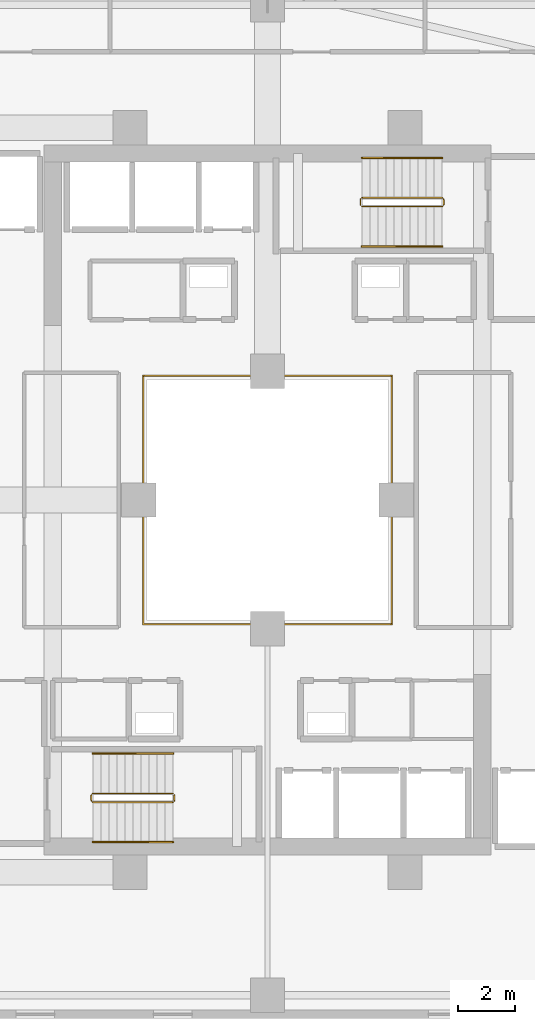
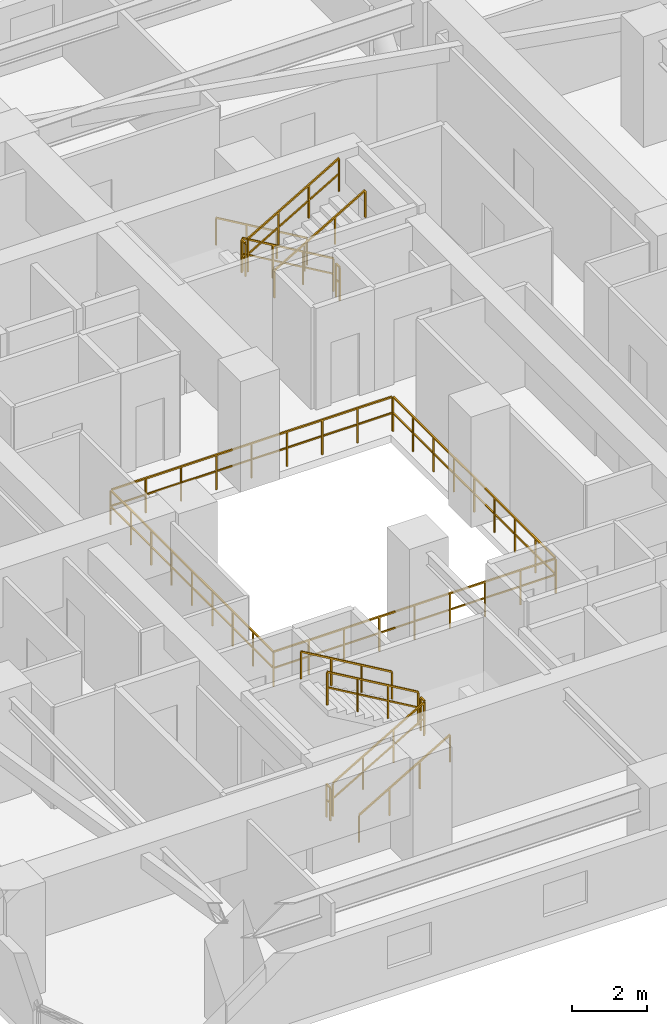
# One storey, part 33 of 36: 13 railings.
"""IFC4 building model written with IfcOpenShell, lengths in metres."""

import ifcopenshell
import ifcopenshell.guid

model = None  # the IFC model being written
_history = None  # IfcOwnerHistory: only IFC2X3 demands one
_inside = {}  # id of a spatial element -> (the spatial element, [elements in it])
_under = {}  # id of a project, library or spatial element -> (it, [spatial elements below it])
_declared = {}  # id of a project -> (the project, [libraries it declares])
_typed = {}  # id of a type object -> (the type object, [elements of that type])
_made_of = {}  # id of a material, layer set ... -> (it, [elements and type objects made of it])


def new_model(schema):
    """Start an empty IFC model of exactly this schema.

    Asked for "IFC4X3", IfcOpenShell would pick the latest addendum, in which some entities
    have other attributes; the version numbers below select the first issue.
    IFC2X3 requires an IfcOwnerHistory on every rooted entity: one is made here for all.
    """
    global model, _history
    if schema == "IFC4X3":
        model = ifcopenshell.file(schema_version=(4, 3, 0, 0))
    else:
        model = ifcopenshell.file(schema=schema)
    _inside.clear()
    _under.clear()
    _declared.clear()
    _typed.clear()
    _made_of.clear()
    _history = None
    if model.schema == "IFC2X3":
        org = make("IfcOrganization", Name="unknown")
        user = make(
            "IfcPersonAndOrganization",
            ThePerson=make("IfcPerson", FamilyName="unknown"),
            TheOrganization=org,
        )
        app = make(
            "IfcApplication",
            ApplicationDeveloper=org,
            Version="unknown",
            ApplicationFullName="unknown",
            ApplicationIdentifier="unknown",
        )
        _history = make(
            "IfcOwnerHistory",
            OwningUser=user,
            OwningApplication=app,
            ChangeAction="ADDED",
            CreationDate=0,
        )
    return model


def make(cls, **values):
    """One entity of the class cls with the attributes given. An attribute that is None is left unset."""
    return model.create_entity(
        cls, **{name: value for name, value in values.items() if value is not None}
    )


def rooted(cls, **values):
    """An entity with a GlobalId (a new one), such as an element, a storey or a relation."""
    return make(cls, GlobalId=ifcopenshell.guid.new(), OwnerHistory=_history, **values)


def si_unit(unit_type, name, prefix=None):
    """IfcSIUnit, for example si_unit("LENGTHUNIT", "METRE", prefix="MILLI")."""
    return make("IfcSIUnit", UnitType=unit_type, Prefix=prefix, Name=name)


def assignment(units):
    """IfcUnitAssignment: the units of a project."""
    return None if units is None else make("IfcUnitAssignment", Units=units)


def point(xyz):
    """IfcCartesianPoint."""
    return None if xyz is None else make("IfcCartesianPoint", Coordinates=xyz)


def direction(xyz):
    """IfcDirection."""
    return None if xyz is None else make("IfcDirection", DirectionRatios=xyz)


def frame(location, z_axis=None, x_axis=None):
    """IfcAxis2Placement3D, a coordinate frame: its origin and axes. An axis left out is left unset."""
    return make(
        "IfcAxis2Placement3D",
        Location=point(location),
        Axis=direction(z_axis),
        RefDirection=direction(x_axis),
    )


def frame_2d(location, x_axis=None):
    """IfcAxis2Placement2D, a coordinate frame in the plane: its origin and x axis."""
    return make(
        "IfcAxis2Placement2D", Location=point(location), RefDirection=direction(x_axis)
    )


def origin():
    """The frame at (0, 0, 0) with its axes left unset."""
    return frame((0.0, 0.0, 0.0))


def origin_2d():
    """The frame at (0, 0) in the plane with its x axis left unset."""
    return frame_2d((0.0, 0.0))


def place(relative_to, where):
    """IfcLocalPlacement: puts the frame where relative to a parent placement (None: the world)."""
    return make(
        "IfcLocalPlacement", PlacementRelTo=relative_to, RelativePlacement=where
    )


def context(
    kind, dimensions, precision=None, world=None, true_north=None, identifier=None
):
    """IfcGeometricRepresentationContext, for example the 3D "Model" context."""
    return make(
        "IfcGeometricRepresentationContext",
        ContextIdentifier=identifier,
        ContextType=kind,
        CoordinateSpaceDimension=dimensions,
        Precision=precision,
        WorldCoordinateSystem=world,
        TrueNorth=true_north,
    )


def subcontext(parent, identifier, kind, view, scale=None):
    """IfcGeometricRepresentationSubContext, for example "Body" below "Model"."""
    return make(
        "IfcGeometricRepresentationSubContext",
        ContextIdentifier=identifier,
        ContextType=kind,
        ParentContext=parent,
        TargetScale=scale,
        TargetView=view,
    )


def project(units=None, contexts=None):
    """IfcProject with its units and contexts."""
    return rooted(
        "IfcProject",
        Name="project",
        RepresentationContexts=contexts,
        UnitsInContext=assignment(units),
    )


def spatial(cls, under=None, at=None, **own):
    """A site, building, storey or space (cls), placed at a placement, below another one or the project."""
    s = rooted(cls, ObjectPlacement=at, **own)
    if under is not None:
        _under.setdefault(under.id(), (under, []))[1].append(s)
    return s


def profile(cls, at=None, kind="AREA", **sizes):
    """A parametric profile (cls). Its sizes go by their IFC names, for example OverallWidth=200.0."""
    return make(cls, ProfileType=kind, Position=at, **sizes)


def rectangle(**sizes):
    """IfcRectangleProfileDef."""
    return profile("IfcRectangleProfileDef", **sizes)


def extrude(swept, where, along, depth):
    """IfcExtrudedAreaSolid: the profile swept, set in the frame where, extruded along a direction by depth."""
    return make(
        "IfcExtrudedAreaSolid",
        SweptArea=swept,
        Position=where,
        ExtrudedDirection=direction(along),
        Depth=depth,
    )


def shape(context_of_items, identifier, shape_type, items):
    """IfcShapeRepresentation: the items that make up one representation, for example the "Body"."""
    return make(
        "IfcShapeRepresentation",
        ContextOfItems=context_of_items,
        RepresentationIdentifier=identifier,
        RepresentationType=shape_type,
        Items=items,
    )


def material(Name=None, Category=None):
    """IfcMaterial."""
    return make("IfcMaterial", Name=Name, Category=Category)


def made_of(thing, what):
    """Note that an element or type object is made of a material, layer set ...; save() writes the relation."""
    if what is not None:
        _made_of.setdefault(what.id(), (what, []))[1].append(thing)
    return thing


def type_object(cls, material=None, **own):
    """A type object (cls), such as IfcWallType, which elements share."""
    return made_of(rooted(cls, **own), material)


def element(
    cls,
    number,
    at=None,
    inside=None,
    cuts=None,
    type_object=None,
    material=None,
    context=None,
    identifier="Body",
    shape_type=None,
    held_by="IfcProductDefinitionShape",
    body=None,
    shapes=None,
    **own,
):
    """One element of the class cls, such as IfcWall. Its Tag is "e" and its number.

    at: its placement. inside: the storey or other place that contains it. cuts: it is an
    opening in that element (IfcRelVoidsElement). A single representation is given by context,
    identifier, shape_type and body (its items); several are given by shapes. held_by: the class
    of the entity that holds the representations. save() writes the other relations.
    """
    e = rooted(cls, Tag="e%d" % number, ObjectPlacement=at, **own)
    if body is not None:
        shapes = [shape(context, identifier, shape_type, body)]
    if shapes is not None:
        e.Representation = make(held_by, Representations=shapes)
    if inside is not None:
        _inside.setdefault(inside.id(), (inside, []))[1].append(e)
    if cuts is not None:
        rooted(
            "IfcRelVoidsElement", RelatingBuildingElement=cuts, RelatedOpeningElement=e
        )
    if type_object is not None:
        _typed.setdefault(type_object.id(), (type_object, []))[1].append(e)
    return made_of(e, material)


def aggregate(whole, parts):
    """IfcRelAggregates: a whole, such as a stair, and the parts it consists of."""
    return rooted("IfcRelAggregates", RelatingObject=whole, RelatedObjects=parts)


def save(model, path):
    """Write the relations noted so far, then the file.

    IfcRelAggregates (storeys below a building ...), IfcRelContainedInSpatialStructure (elements
    in a storey), IfcRelDefinesByType, IfcRelAssociatesMaterial and IfcRelDeclares: one each for
    every whole, place, type object, material and project.
    """
    for whole, parts in _under.values():
        aggregate(whole, parts)
    for where, things in _inside.values():
        rooted(
            "IfcRelContainedInSpatialStructure",
            RelatedElements=things,
            RelatingStructure=where,
        )
    for kind, things in _typed.values():
        rooted("IfcRelDefinesByType", RelatedObjects=things, RelatingType=kind)
    for what, things in _made_of.values():
        rooted("IfcRelAssociatesMaterial", RelatedObjects=things, RelatingMaterial=what)
    for by, libraries in _declared.values():
        rooted("IfcRelDeclares", RelatingContext=by, RelatedDefinitions=libraries)
    model.write(path)


model = new_model("IFC4")

# Units and contexts
model_context = context("Model", 3, precision=1e-05, world=origin(), true_north=direction((0.0, 1.0)))
body_context = subcontext(model_context, "Body", "Model", "MODEL_VIEW")
ifc_project = project(units=[si_unit("LENGTHUNIT", "METRE"), si_unit("AREAUNIT", "SQUARE_METRE"), si_unit("VOLUMEUNIT", "CUBIC_METRE"), si_unit("PLANEANGLEUNIT", "RADIAN"), si_unit("MASSUNIT", "GRAM", prefix="KILO")], contexts=[model_context])

# Site, building, storey
site_placement = place(None, origin())
site = spatial("IfcSite", under=ifc_project, at=site_placement, CompositionType="ELEMENT")
building_placement = place(site_placement, origin())
building = spatial("IfcBuilding", under=site, at=building_placement, Name="Thornwick Lancets Civic Towers", CompositionType="ELEMENT")
storey_placement = place(building_placement, frame((0.0, 0.0, 94.5)))
storey = spatial("IfcBuildingStorey", under=building, at=storey_placement, Name="L24", CompositionType="ELEMENT", Elevation=94.5)

# Railings
ifc_material_1 = material(Name="Laminated glass and bronze steel S355", Category="steel")
railing_type_1 = type_object("IfcRailingType", Name="RAIL_ATRIUM_GUARD", PredefinedType="BALUSTRADE", material=ifc_material_1)
railing_1_placement = place(storey_placement, frame((21.159912109375, 22.659912109375, 0.0)))
element("IfcRailing", 1, at=railing_1_placement, inside=storey, type_object=railing_type_1, Name="L24 Tower A Central Atrium Guard Balustrade", PredefinedType="BALUSTRADE", context=body_context, shape_type="SweptSolid", body=[
    extrude(rectangle(XDim=0.048095703125, YDim=0.048095703125, at=origin_2d()), frame((0.0, 0.0, 1.1259765625), z_axis=(1.0, 0.0, 0.0), x_axis=(0.0, 1.0, 0.0)), (0.0, 0.0, 1.0), 8.64892578125),
    extrude(rectangle(XDim=0.0419921875, YDim=0.0419921875, at=origin_2d()), frame((0.03759765625, 0.0, 0.597900390625), z_axis=(1.0, 0.0, 0.0), x_axis=(0.0, 1.0, 0.0)), (0.0, 0.0, 1.0), 1.010009765625),
    extrude(rectangle(XDim=0.0419921875, YDim=0.0419921875, at=origin_2d()), frame((1.12255859375, 0.0, 0.597900390625), z_axis=(1.0, 0.0, 0.0), x_axis=(0.0, 1.0, 0.0)), (0.0, 0.0, 1.0), 1.010009765625),
    extrude(rectangle(XDim=0.0419921875, YDim=0.0419921875, at=origin_2d()), frame((2.20751953125, 0.0, 0.597900390625), z_axis=(1.0, 0.0, 0.0), x_axis=(0.0, 1.0, 0.0)), (0.0, 0.0, 1.0), 1.010009765625),
    extrude(rectangle(XDim=0.0419921875, YDim=0.0419921875, at=origin_2d()), frame((3.29248046875, 0.0, 0.597900390625), z_axis=(1.0, 0.0, 0.0), x_axis=(0.0, 1.0, 0.0)), (0.0, 0.0, 1.0), 1.010009765625),
    extrude(rectangle(XDim=0.0419921875, YDim=0.0419921875, at=origin_2d()), frame((4.377685546875, 0.0, 0.597900390625), z_axis=(1.0, 0.0, 0.0), x_axis=(0.0, 1.0, 0.0)), (0.0, 0.0, 1.0), 1.010009765625),
    extrude(rectangle(XDim=0.0419921875, YDim=0.0419921875, at=origin_2d()), frame((5.462646484375, 0.0, 0.597900390625), z_axis=(1.0, 0.0, 0.0), x_axis=(0.0, 1.0, 0.0)), (0.0, 0.0, 1.0), 1.010009765625),
    extrude(rectangle(XDim=0.0419921875, YDim=0.0419921875, at=origin_2d()), frame((6.547607421875, 0.0, 0.597900390625), z_axis=(1.0, 0.0, 0.0), x_axis=(0.0, 1.0, 0.0)), (0.0, 0.0, 1.0), 1.010009765625),
    extrude(rectangle(XDim=0.0419921875, YDim=0.0419921875, at=origin_2d()), frame((7.632568359375, 0.0, 0.597900390625), z_axis=(1.0, 0.0, 0.0), x_axis=(0.0, 1.0, 0.0)), (0.0, 0.0, 1.0), 1.010009765625),
    extrude(rectangle(XDim=0.048095703125, YDim=0.048095703125, at=origin_2d()), frame((8.68017578125, 0.03125, 1.1259765625), z_axis=(0.0, 1.0, 0.0), x_axis=(-1.0, 0.0, 0.0)), (0.0, 0.0, 1.0), 8.61767578125),
    extrude(rectangle(XDim=0.0419921875, YDim=0.0419921875, at=origin_2d()), frame((8.68017578125, 0.03759765625, 0.597900390625), z_axis=(0.0, 1.0, 0.0), x_axis=(-1.0, 0.0, 0.0)), (0.0, 0.0, 1.0), 1.010009765625),
    extrude(rectangle(XDim=0.0419921875, YDim=0.0419921875, at=origin_2d()), frame((8.68017578125, 1.12255859375, 0.597900390625), z_axis=(0.0, 1.0, 0.0), x_axis=(-1.0, 0.0, 0.0)), (0.0, 0.0, 1.0), 1.010009765625),
    extrude(rectangle(XDim=0.0419921875, YDim=0.0419921875, at=origin_2d()), frame((8.68017578125, 2.20751953125, 0.597900390625), z_axis=(0.0, 1.0, 0.0), x_axis=(-1.0, 0.0, 0.0)), (0.0, 0.0, 1.0), 1.010009765625),
    extrude(rectangle(XDim=0.0419921875, YDim=0.0419921875, at=origin_2d()), frame((8.68017578125, 3.29248046875, 0.597900390625), z_axis=(0.0, 1.0, 0.0), x_axis=(-1.0, 0.0, 0.0)), (0.0, 0.0, 1.0), 1.010009765625),
    extrude(rectangle(XDim=0.0419921875, YDim=0.0419921875, at=origin_2d()), frame((8.68017578125, 4.377685546875, 0.597900390625), z_axis=(0.0, 1.0, 0.0), x_axis=(-1.0, 0.0, 0.0)), (0.0, 0.0, 1.0), 1.010009765625),
    extrude(rectangle(XDim=0.0419921875, YDim=0.0419921875, at=origin_2d()), frame((8.68017578125, 5.462646484375, 0.597900390625), z_axis=(0.0, 1.0, 0.0), x_axis=(-1.0, 0.0, 0.0)), (0.0, 0.0, 1.0), 1.010009765625),
    extrude(rectangle(XDim=0.0419921875, YDim=0.0419921875, at=origin_2d()), frame((8.68017578125, 6.547607421875, 0.597900390625), z_axis=(0.0, 1.0, 0.0), x_axis=(-1.0, 0.0, 0.0)), (0.0, 0.0, 1.0), 1.010009765625),
    extrude(rectangle(XDim=0.0419921875, YDim=0.0419921875, at=origin_2d()), frame((8.68017578125, 7.632568359375, 0.597900390625), z_axis=(0.0, 1.0, 0.0), x_axis=(-1.0, 0.0, 0.0)), (0.0, 0.0, 1.0), 1.010009765625),
    extrude(rectangle(XDim=0.048095703125, YDim=0.048095703125, at=origin_2d()), frame((8.64892578125, 8.68017578125, 1.1259765625), z_axis=(-1.0, 0.0, 0.0), x_axis=(0.0, -1.0, 0.0)), (0.0, 0.0, 1.0), 8.61767578125),
    extrude(rectangle(XDim=0.0419921875, YDim=0.0419921875, at=origin_2d()), frame((8.642578125, 8.68017578125, 0.597900390625), z_axis=(-1.0, 0.0, 0.0), x_axis=(0.0, -1.0, 0.0)), (0.0, 0.0, 1.0), 1.010009765625),
    extrude(rectangle(XDim=0.0419921875, YDim=0.0419921875, at=origin_2d()), frame((7.5576171875, 8.68017578125, 0.597900390625), z_axis=(-1.0, 0.0, 0.0), x_axis=(0.0, -1.0, 0.0)), (0.0, 0.0, 1.0), 1.010009765625),
    extrude(rectangle(XDim=0.0419921875, YDim=0.0419921875, at=origin_2d()), frame((6.47265625, 8.68017578125, 0.597900390625), z_axis=(-1.0, 0.0, 0.0), x_axis=(0.0, -1.0, 0.0)), (0.0, 0.0, 1.0), 1.010009765625),
    extrude(rectangle(XDim=0.0419921875, YDim=0.0419921875, at=origin_2d()), frame((5.3876953125, 8.68017578125, 0.597900390625), z_axis=(-1.0, 0.0, 0.0), x_axis=(0.0, -1.0, 0.0)), (0.0, 0.0, 1.0), 1.010009765625),
    extrude(rectangle(XDim=0.0419921875, YDim=0.0419921875, at=origin_2d()), frame((4.302490234375, 8.68017578125, 0.597900390625), z_axis=(-1.0, 0.0, 0.0), x_axis=(0.0, -1.0, 0.0)), (0.0, 0.0, 1.0), 1.010009765625),
    extrude(rectangle(XDim=0.0419921875, YDim=0.0419921875, at=origin_2d()), frame((3.217529296875, 8.68017578125, 0.597900390625), z_axis=(-1.0, 0.0, 0.0), x_axis=(0.0, -1.0, 0.0)), (0.0, 0.0, 1.0), 1.010009765625),
    extrude(rectangle(XDim=0.0419921875, YDim=0.0419921875, at=origin_2d()), frame((2.132568359375, 8.68017578125, 0.597900390625), z_axis=(-1.0, 0.0, 0.0), x_axis=(0.0, -1.0, 0.0)), (0.0, 0.0, 1.0), 1.010009765625),
    extrude(rectangle(XDim=0.0419921875, YDim=0.0419921875, at=origin_2d()), frame((1.047607421875, 8.68017578125, 0.597900390625), z_axis=(-1.0, 0.0, 0.0), x_axis=(0.0, -1.0, 0.0)), (0.0, 0.0, 1.0), 1.010009765625),
    extrude(rectangle(XDim=0.048095703125, YDim=0.048095703125, at=origin_2d()), frame((0.0, 8.64892578125, 1.1259765625), z_axis=(0.0, -1.0, 0.0), x_axis=(1.0, 0.0, 0.0)), (0.0, 0.0, 1.0), 8.64892578125),
    extrude(rectangle(XDim=0.0419921875, YDim=0.0419921875, at=origin_2d()), frame((0.0, 8.642578125, 0.597900390625), z_axis=(0.0, -1.0, 0.0), x_axis=(1.0, 0.0, 0.0)), (0.0, 0.0, 1.0), 1.010009765625),
    extrude(rectangle(XDim=0.0419921875, YDim=0.0419921875, at=origin_2d()), frame((0.0, 7.5576171875, 0.597900390625), z_axis=(0.0, -1.0, 0.0), x_axis=(1.0, 0.0, 0.0)), (0.0, 0.0, 1.0), 1.010009765625),
    extrude(rectangle(XDim=0.0419921875, YDim=0.0419921875, at=origin_2d()), frame((0.0, 6.47265625, 0.597900390625), z_axis=(0.0, -1.0, 0.0), x_axis=(1.0, 0.0, 0.0)), (0.0, 0.0, 1.0), 1.010009765625),
    extrude(rectangle(XDim=0.0419921875, YDim=0.0419921875, at=origin_2d()), frame((0.0, 5.3876953125, 0.597900390625), z_axis=(0.0, -1.0, 0.0), x_axis=(1.0, 0.0, 0.0)), (0.0, 0.0, 1.0), 1.010009765625),
    extrude(rectangle(XDim=0.0419921875, YDim=0.0419921875, at=origin_2d()), frame((0.0, 4.302490234375, 0.597900390625), z_axis=(0.0, -1.0, 0.0), x_axis=(1.0, 0.0, 0.0)), (0.0, 0.0, 1.0), 1.010009765625),
    extrude(rectangle(XDim=0.0419921875, YDim=0.0419921875, at=origin_2d()), frame((0.0, 3.217529296875, 0.597900390625), z_axis=(0.0, -1.0, 0.0), x_axis=(1.0, 0.0, 0.0)), (0.0, 0.0, 1.0), 1.010009765625),
    extrude(rectangle(XDim=0.0419921875, YDim=0.0419921875, at=origin_2d()), frame((0.0, 2.132568359375, 0.597900390625), z_axis=(0.0, -1.0, 0.0), x_axis=(1.0, 0.0, 0.0)), (0.0, 0.0, 1.0), 1.010009765625),
    extrude(rectangle(XDim=0.0419921875, YDim=0.0419921875, at=origin_2d()), frame((0.0, 1.047607421875, 0.597900390625), z_axis=(0.0, -1.0, 0.0), x_axis=(1.0, 0.0, 0.0)), (0.0, 0.0, 1.0), 1.010009765625),
    extrude(rectangle(XDim=0.0419921875, YDim=0.0419921875, at=origin_2d()), origin(), (0.0, 0.0, 1.0), 1.095703125),
    extrude(rectangle(XDim=0.0419921875, YDim=0.0419921875, at=origin_2d()), frame((1.0849609375, 0.0, 0.0)), (0.0, 0.0, 1.0), 1.095703125),
    extrude(rectangle(XDim=0.0419921875, YDim=0.0419921875, at=origin_2d()), frame((2.169921875, 0.0, 0.0)), (0.0, 0.0, 1.0), 1.095703125),
    extrude(rectangle(XDim=0.0419921875, YDim=0.0419921875, at=origin_2d()), frame((3.255126953125, 0.0, 0.0)), (0.0, 0.0, 1.0), 1.095703125),
    extrude(rectangle(XDim=0.0419921875, YDim=0.0419921875, at=origin_2d()), frame((4.340087890625, 0.0, 0.0)), (0.0, 0.0, 1.0), 1.095703125),
    extrude(rectangle(XDim=0.0419921875, YDim=0.0419921875, at=origin_2d()), frame((5.425048828125, 0.0, 0.0)), (0.0, 0.0, 1.0), 1.095703125),
    extrude(rectangle(XDim=0.0419921875, YDim=0.0419921875, at=origin_2d()), frame((6.51025390625, 0.0, 0.0)), (0.0, 0.0, 1.0), 1.095703125),
    extrude(rectangle(XDim=0.0419921875, YDim=0.0419921875, at=origin_2d()), frame((7.59521484375, 0.0, 0.0)), (0.0, 0.0, 1.0), 1.095703125),
    extrude(rectangle(XDim=0.0419921875, YDim=0.0419921875, at=origin_2d()), frame((8.68017578125, 0.0, 0.0)), (0.0, 0.0, 1.0), 1.095703125),
    extrude(rectangle(XDim=0.0419921875, YDim=0.0419921875, at=origin_2d()), frame((8.68017578125, 1.0849609375, 0.0)), (0.0, 0.0, 1.0), 1.095703125),
    extrude(rectangle(XDim=0.0419921875, YDim=0.0419921875, at=origin_2d()), frame((8.68017578125, 2.169921875, 0.0)), (0.0, 0.0, 1.0), 1.095703125),
    extrude(rectangle(XDim=0.0419921875, YDim=0.0419921875, at=origin_2d()), frame((8.68017578125, 3.255126953125, 0.0)), (0.0, 0.0, 1.0), 1.095703125),
    extrude(rectangle(XDim=0.0419921875, YDim=0.0419921875, at=origin_2d()), frame((8.68017578125, 4.340087890625, 0.0)), (0.0, 0.0, 1.0), 1.095703125),
    extrude(rectangle(XDim=0.0419921875, YDim=0.0419921875, at=origin_2d()), frame((8.68017578125, 5.425048828125, 0.0)), (0.0, 0.0, 1.0), 1.095703125),
    extrude(rectangle(XDim=0.0419921875, YDim=0.0419921875, at=origin_2d()), frame((8.68017578125, 6.51025390625, 0.0)), (0.0, 0.0, 1.0), 1.095703125),
    extrude(rectangle(XDim=0.0419921875, YDim=0.0419921875, at=origin_2d()), frame((8.68017578125, 7.59521484375, 0.0)), (0.0, 0.0, 1.0), 1.095703125),
    extrude(rectangle(XDim=0.0419921875, YDim=0.0419921875, at=origin_2d()), frame((8.68017578125, 8.68017578125, 0.0)), (0.0, 0.0, 1.0), 1.095703125),
    extrude(rectangle(XDim=0.0419921875, YDim=0.0419921875, at=origin_2d()), frame((7.59521484375, 8.68017578125, 0.0)), (0.0, 0.0, 1.0), 1.095703125),
    extrude(rectangle(XDim=0.0419921875, YDim=0.0419921875, at=origin_2d()), frame((6.51025390625, 8.68017578125, 0.0)), (0.0, 0.0, 1.0), 1.095703125),
    extrude(rectangle(XDim=0.0419921875, YDim=0.0419921875, at=origin_2d()), frame((5.425048828125, 8.68017578125, 0.0)), (0.0, 0.0, 1.0), 1.095703125),
    extrude(rectangle(XDim=0.0419921875, YDim=0.0419921875, at=origin_2d()), frame((4.340087890625, 8.68017578125, 0.0)), (0.0, 0.0, 1.0), 1.095703125),
    extrude(rectangle(XDim=0.0419921875, YDim=0.0419921875, at=origin_2d()), frame((3.255126953125, 8.68017578125, 0.0)), (0.0, 0.0, 1.0), 1.095703125),
    extrude(rectangle(XDim=0.0419921875, YDim=0.0419921875, at=origin_2d()), frame((2.169921875, 8.68017578125, 0.0)), (0.0, 0.0, 1.0), 1.095703125),
    extrude(rectangle(XDim=0.0419921875, YDim=0.0419921875, at=origin_2d()), frame((1.0849609375, 8.68017578125, 0.0)), (0.0, 0.0, 1.0), 1.095703125),
    extrude(rectangle(XDim=0.0419921875, YDim=0.0419921875, at=origin_2d()), frame((0.0, 8.68017578125, 0.0)), (0.0, 0.0, 1.0), 1.095703125),
    extrude(rectangle(XDim=0.0419921875, YDim=0.0419921875, at=origin_2d()), frame((0.0, 7.59521484375, 0.0)), (0.0, 0.0, 1.0), 1.095703125),
    extrude(rectangle(XDim=0.0419921875, YDim=0.0419921875, at=origin_2d()), frame((0.0, 6.51025390625, 0.0)), (0.0, 0.0, 1.0), 1.095703125),
    extrude(rectangle(XDim=0.0419921875, YDim=0.0419921875, at=origin_2d()), frame((0.0, 5.425048828125, 0.0)), (0.0, 0.0, 1.0), 1.095703125),
    extrude(rectangle(XDim=0.0419921875, YDim=0.0419921875, at=origin_2d()), frame((0.0, 4.340087890625, 0.0)), (0.0, 0.0, 1.0), 1.095703125),
    extrude(rectangle(XDim=0.0419921875, YDim=0.0419921875, at=origin_2d()), frame((0.0, 3.255126953125, 0.0)), (0.0, 0.0, 1.0), 1.095703125),
    extrude(rectangle(XDim=0.0419921875, YDim=0.0419921875, at=origin_2d()), frame((0.0, 2.169921875, 0.0)), (0.0, 0.0, 1.0), 1.095703125),
    extrude(rectangle(XDim=0.0419921875, YDim=0.0419921875, at=origin_2d()), frame((0.0, 1.0849609375, 0.0)), (0.0, 0.0, 1.0), 1.095703125),
])
ifc_material_2 = material(Name="Brushed stainless steel S355", Category="steel")
railing_type_2 = type_object("IfcRailingType", Name="RAIL_HANDRAIL", PredefinedType="HANDRAIL", material=ifc_material_2)
railing_2_placement = place(storey_placement, frame((19.39990234375, 15.050048828125, 0.16357421875)))
element("IfcRailing", 2, at=railing_2_placement, inside=storey, type_object=railing_type_2, Name="L24 ST-A1 stair handrail 1", PredefinedType="HANDRAIL", context=body_context, shape_type="SweptSolid", body=[
    extrude(rectangle(XDim=0.048095703125, YDim=0.048095703125, at=origin_2d()), frame((0.0, 0.0, 0.8857421875), z_axis=(0.863360870873, 0.0, 0.504586966384), x_axis=(0.0, 1.0, 0.0)), (0.0, 0.0, 1.0), 3.2431640625),
    extrude(rectangle(XDim=0.0419921875, YDim=0.0419921875, at=origin_2d()), origin(), (0.0, 0.0, 1.0), 0.855712890625),
    extrude(rectangle(XDim=0.0419921875, YDim=0.0419921875, at=origin_2d()), frame((0.933349609375, 0.0, 0.54541015625)), (0.0, 0.0, 1.0), 0.855712890625),
    extrude(rectangle(XDim=0.0419921875, YDim=0.0419921875, at=origin_2d()), frame((1.86669921875, 0.0, 1.091064453125)), (0.0, 0.0, 1.0), 0.855712890625),
    extrude(rectangle(XDim=0.0419921875, YDim=0.0419921875, at=origin_2d()), frame((2.800048828125, 0.0, 1.636474609375)), (0.0, 0.0, 1.0), 0.855712890625),
])
for number, where, name in (
    (3, (22.199951171875, 18.14990234375, 1.963623046875), "L24 ST-A1 stair handrail 2"),
    (4, (31.60009765625, 38.949951171875, 0.16357421875), "L24 ST-A2 stair handrail 1"),
):
    element("IfcRailing", number, at=place(storey_placement, frame(where)), inside=storey, type_object=railing_type_2, Name=name, PredefinedType="HANDRAIL", context=body_context, shape_type="SweptSolid", body=[
        extrude(rectangle(XDim=0.048095703125, YDim=0.048095703125, at=origin_2d()), frame((0.0, 0.0, 0.8857421875), z_axis=(-0.863360870873, 0.0, 0.504586966384), x_axis=(0.0, -1.0, 0.0)), (0.0, 0.0, 1.0), 3.2431640625),
        extrude(rectangle(XDim=0.0419921875, YDim=0.0419921875, at=origin_2d()), origin(), (0.0, 0.0, 1.0), 0.855712890625),
        extrude(rectangle(XDim=0.0419921875, YDim=0.0419921875, at=origin_2d()), frame((-0.933349609375, 0.0, 0.54541015625)), (0.0, 0.0, 1.0), 0.855712890625),
        extrude(rectangle(XDim=0.0419921875, YDim=0.0419921875, at=origin_2d()), frame((-1.86669921875, 0.0, 1.091064453125)), (0.0, 0.0, 1.0), 0.855712890625),
        extrude(rectangle(XDim=0.0419921875, YDim=0.0419921875, at=origin_2d()), frame((-2.800048828125, 0.0, 1.636474609375)), (0.0, 0.0, 1.0), 0.855712890625),
    ])
railing_3_placement = place(storey_placement, frame((28.800048828125, 35.85009765625, 1.963623046875)))
element("IfcRailing", 5, at=railing_3_placement, inside=storey, type_object=railing_type_2, Name="L24 ST-A2 stair handrail 2", PredefinedType="HANDRAIL", context=body_context, shape_type="SweptSolid", body=[
    extrude(rectangle(XDim=0.048095703125, YDim=0.048095703125, at=origin_2d()), frame((0.0, 0.0, 0.8857421875), z_axis=(0.863360870873, 0.0, 0.504586966384), x_axis=(0.0, 1.0, 0.0)), (0.0, 0.0, 1.0), 3.2431640625),
    extrude(rectangle(XDim=0.0419921875, YDim=0.0419921875, at=origin_2d()), origin(), (0.0, 0.0, 1.0), 0.855712890625),
    extrude(rectangle(XDim=0.0419921875, YDim=0.0419921875, at=origin_2d()), frame((0.933349609375, 0.0, 0.54541015625)), (0.0, 0.0, 1.0), 0.855712890625),
    extrude(rectangle(XDim=0.0419921875, YDim=0.0419921875, at=origin_2d()), frame((1.86669921875, 0.0, 1.091064453125)), (0.0, 0.0, 1.0), 0.855712890625),
    extrude(rectangle(XDim=0.0419921875, YDim=0.0419921875, at=origin_2d()), frame((2.800048828125, 0.0, 1.636474609375)), (0.0, 0.0, 1.0), 0.855712890625),
])
ifc_material_3 = material(Name="Steel S355JR", Category="steel")
railing_type_3 = type_object("IfcRailingType", Name="RAIL_STAIR_GUARD", PredefinedType="GUARDRAIL", material=ifc_material_3)
railing_4_placement = place(storey_placement, frame((19.39990234375, 16.449951171875, 0.16357421875)))
element("IfcRailing", 6, at=railing_4_placement, inside=storey, type_object=railing_type_3, Name="L24 ST-A1 stair guard 1", PredefinedType="GUARDRAIL", context=body_context, shape_type="SweptSolid", body=[
    extrude(rectangle(XDim=0.048095703125, YDim=0.048095703125, at=origin_2d()), frame((0.0, 0.0, 1.076171875), z_axis=(0.863360870873, 0.0, 0.504586966384), x_axis=(0.0, 1.0, 0.0)), (0.0, 0.0, 1.0), 3.2431640625),
    extrude(rectangle(XDim=0.0419921875, YDim=0.0419921875, at=origin_2d()), frame((0.032470703125, 0.0, 0.591064453125), z_axis=(0.863360870873, 0.0, 0.504586966384), x_axis=(0.0, 1.0, 0.0)), (0.0, 0.0, 1.0), 1.006103515625),
    extrude(rectangle(XDim=0.0419921875, YDim=0.0419921875, at=origin_2d()), frame((0.9658203125, 0.0, 1.136474609375), z_axis=(0.863360870873, 0.0, 0.504586966384), x_axis=(0.0, 1.0, 0.0)), (0.0, 0.0, 1.0), 1.006103515625),
    extrude(rectangle(XDim=0.0419921875, YDim=0.0419921875, at=origin_2d()), frame((1.899169921875, 0.0, 1.681884765625), z_axis=(0.863360870873, 0.0, 0.504586966384), x_axis=(0.0, 1.0, 0.0)), (0.0, 0.0, 1.0), 1.006103515625),
    extrude(rectangle(XDim=0.0419921875, YDim=0.0419921875, at=origin_2d()), origin(), (0.0, 0.0, 1.0), 1.0458984375),
    extrude(rectangle(XDim=0.0419921875, YDim=0.0419921875, at=origin_2d()), frame((0.933349609375, 0.0, 0.54541015625)), (0.0, 0.0, 1.0), 1.0458984375),
    extrude(rectangle(XDim=0.0419921875, YDim=0.0419921875, at=origin_2d()), frame((1.86669921875, 0.0, 1.091064453125)), (0.0, 0.0, 1.0), 1.0458984375),
    extrude(rectangle(XDim=0.0419921875, YDim=0.0419921875, at=origin_2d()), frame((2.800048828125, 0.0, 1.636474609375)), (0.0, 0.0, 1.0), 1.0458984375),
])
railing_5_placement = place(storey_placement, frame((22.25, 16.5, 1.800048828125)))
element("IfcRailing", 7, at=railing_5_placement, inside=storey, type_object=railing_type_3, Name="L24 ST-A1 stair guard 2", PredefinedType="GUARDRAIL", context=body_context, shape_type="SweptSolid", body=[
    extrude(rectangle(XDim=0.048095703125, YDim=0.048095703125, at=origin_2d()), frame((0.0, 0.0, 1.076171875), z_axis=(0.0, 1.0, 0.0), x_axis=(-1.0, 0.0, 0.0)), (0.0, 0.0, 1.0), 0.199951171875),
    extrude(rectangle(XDim=0.0419921875, YDim=0.0419921875, at=origin_2d()), frame((0.0, 0.03759765625, 0.572021484375), z_axis=(0.0, 1.0, 0.0), x_axis=(-1.0, 0.0, 0.0)), (0.0, 0.0, 1.0), 0.125),
    extrude(rectangle(XDim=0.0419921875, YDim=0.0419921875, at=origin_2d()), origin(), (0.0, 0.0, 1.0), 1.0458984375),
    extrude(rectangle(XDim=0.0419921875, YDim=0.0419921875, at=origin_2d()), frame((0.0, 0.199951171875, 0.0)), (0.0, 0.0, 1.0), 1.0458984375),
])
railing_6_placement = place(storey_placement, frame((22.199951171875, 16.75, 1.963623046875)))
element("IfcRailing", 8, at=railing_6_placement, inside=storey, type_object=railing_type_3, Name="L24 ST-A1 stair guard 3", PredefinedType="GUARDRAIL", context=body_context, shape_type="SweptSolid", body=[
    extrude(rectangle(XDim=0.048095703125, YDim=0.048095703125, at=origin_2d()), frame((0.0, 0.0, 1.076171875), z_axis=(-0.863360870873, 0.0, 0.504586966384), x_axis=(0.0, -1.0, 0.0)), (0.0, 0.0, 1.0), 3.2431640625),
    extrude(rectangle(XDim=0.0419921875, YDim=0.0419921875, at=origin_2d()), frame((-0.032470703125, 0.0, 0.591064453125), z_axis=(-0.863360870873, 0.0, 0.504586966384), x_axis=(0.0, -1.0, 0.0)), (0.0, 0.0, 1.0), 1.006103515625),
    extrude(rectangle(XDim=0.0419921875, YDim=0.0419921875, at=origin_2d()), frame((-0.9658203125, 0.0, 1.136474609375), z_axis=(-0.863360870873, 0.0, 0.504586966384), x_axis=(0.0, -1.0, 0.0)), (0.0, 0.0, 1.0), 1.006103515625),
    extrude(rectangle(XDim=0.0419921875, YDim=0.0419921875, at=origin_2d()), frame((-1.899169921875, 0.0, 1.681884765625), z_axis=(-0.863360870873, 0.0, 0.504586966384), x_axis=(0.0, -1.0, 0.0)), (0.0, 0.0, 1.0), 1.006103515625),
    extrude(rectangle(XDim=0.0419921875, YDim=0.0419921875, at=origin_2d()), origin(), (0.0, 0.0, 1.0), 1.0458984375),
    extrude(rectangle(XDim=0.0419921875, YDim=0.0419921875, at=origin_2d()), frame((-0.933349609375, 0.0, 0.54541015625)), (0.0, 0.0, 1.0), 1.0458984375),
    extrude(rectangle(XDim=0.0419921875, YDim=0.0419921875, at=origin_2d()), frame((-1.86669921875, 0.0, 1.091064453125)), (0.0, 0.0, 1.0), 1.0458984375),
    extrude(rectangle(XDim=0.0419921875, YDim=0.0419921875, at=origin_2d()), frame((-2.800048828125, 0.0, 1.636474609375)), (0.0, 0.0, 1.0), 1.0458984375),
])
railing_7_placement = place(storey_placement, frame((19.35009765625, 16.5, 0.0)))
element("IfcRailing", 9, at=railing_7_placement, inside=storey, type_object=railing_type_3, Name="L24 ST-A1 stair guard 4", PredefinedType="GUARDRAIL", context=body_context, shape_type="SweptSolid", body=[
    extrude(rectangle(XDim=0.048095703125, YDim=0.048095703125, at=origin_2d()), frame((0.0, 0.0, 1.076171875), z_axis=(0.0, 1.0, 0.0), x_axis=(-1.0, 0.0, 0.0)), (0.0, 0.0, 1.0), 0.199951171875),
    extrude(rectangle(XDim=0.0419921875, YDim=0.0419921875, at=origin_2d()), frame((0.0, 0.03759765625, 0.572021484375), z_axis=(0.0, 1.0, 0.0), x_axis=(-1.0, 0.0, 0.0)), (0.0, 0.0, 1.0), 0.125),
    extrude(rectangle(XDim=0.0419921875, YDim=0.0419921875, at=origin_2d()), origin(), (0.0, 0.0, 1.0), 1.0458984375),
    extrude(rectangle(XDim=0.0419921875, YDim=0.0419921875, at=origin_2d()), frame((0.0, 0.199951171875, 0.0)), (0.0, 0.0, 1.0), 1.0458984375),
])
railing_8_placement = place(storey_placement, frame((31.60009765625, 37.550048828125, 0.16357421875)))
element("IfcRailing", 10, at=railing_8_placement, inside=storey, type_object=railing_type_3, Name="L24 ST-A2 stair guard 1", PredefinedType="GUARDRAIL", context=body_context, shape_type="SweptSolid", body=[
    extrude(rectangle(XDim=0.048095703125, YDim=0.048095703125, at=origin_2d()), frame((0.0, 0.0, 1.076171875), z_axis=(-0.863360870873, 0.0, 0.504586966384), x_axis=(0.0, -1.0, 0.0)), (0.0, 0.0, 1.0), 3.2431640625),
    extrude(rectangle(XDim=0.0419921875, YDim=0.0419921875, at=origin_2d()), frame((-0.032470703125, 0.0, 0.591064453125), z_axis=(-0.863360870873, 0.0, 0.504586966384), x_axis=(0.0, -1.0, 0.0)), (0.0, 0.0, 1.0), 1.006103515625),
    extrude(rectangle(XDim=0.0419921875, YDim=0.0419921875, at=origin_2d()), frame((-0.9658203125, 0.0, 1.136474609375), z_axis=(-0.863360870873, 0.0, 0.504586966384), x_axis=(0.0, -1.0, 0.0)), (0.0, 0.0, 1.0), 1.006103515625),
    extrude(rectangle(XDim=0.0419921875, YDim=0.0419921875, at=origin_2d()), frame((-1.899169921875, 0.0, 1.681884765625), z_axis=(-0.863360870873, 0.0, 0.504586966384), x_axis=(0.0, -1.0, 0.0)), (0.0, 0.0, 1.0), 1.006103515625),
    extrude(rectangle(XDim=0.0419921875, YDim=0.0419921875, at=origin_2d()), origin(), (0.0, 0.0, 1.0), 1.0458984375),
    extrude(rectangle(XDim=0.0419921875, YDim=0.0419921875, at=origin_2d()), frame((-0.933349609375, 0.0, 0.54541015625)), (0.0, 0.0, 1.0), 1.0458984375),
    extrude(rectangle(XDim=0.0419921875, YDim=0.0419921875, at=origin_2d()), frame((-1.86669921875, 0.0, 1.091064453125)), (0.0, 0.0, 1.0), 1.0458984375),
    extrude(rectangle(XDim=0.0419921875, YDim=0.0419921875, at=origin_2d()), frame((-2.800048828125, 0.0, 1.636474609375)), (0.0, 0.0, 1.0), 1.0458984375),
])
railing_9_placement = place(storey_placement, frame((28.75, 37.5, 1.800048828125)))
element("IfcRailing", 11, at=railing_9_placement, inside=storey, type_object=railing_type_3, Name="L24 ST-A2 stair guard 2", PredefinedType="GUARDRAIL", context=body_context, shape_type="SweptSolid", body=[
    extrude(rectangle(XDim=0.048095703125, YDim=0.048095703125, at=origin_2d()), frame((0.0, 0.0, 1.076171875), z_axis=(0.0, -1.0, 0.0), x_axis=(1.0, 0.0, 0.0)), (0.0, 0.0, 1.0), 0.199951171875),
    extrude(rectangle(XDim=0.0419921875, YDim=0.0419921875, at=origin_2d()), frame((0.0, -0.03759765625, 0.572021484375), z_axis=(0.0, -1.0, 0.0), x_axis=(1.0, 0.0, 0.0)), (0.0, 0.0, 1.0), 0.125),
    extrude(rectangle(XDim=0.0419921875, YDim=0.0419921875, at=origin_2d()), origin(), (0.0, 0.0, 1.0), 1.0458984375),
    extrude(rectangle(XDim=0.0419921875, YDim=0.0419921875, at=origin_2d()), frame((0.0, -0.199951171875, 0.0)), (0.0, 0.0, 1.0), 1.0458984375),
])
railing_10_placement = place(storey_placement, frame((28.800048828125, 37.25, 1.963623046875)))
element("IfcRailing", 12, at=railing_10_placement, inside=storey, type_object=railing_type_3, Name="L24 ST-A2 stair guard 3", PredefinedType="GUARDRAIL", context=body_context, shape_type="SweptSolid", body=[
    extrude(rectangle(XDim=0.048095703125, YDim=0.048095703125, at=origin_2d()), frame((0.0, 0.0, 1.076171875), z_axis=(0.863360870873, 0.0, 0.504586966384), x_axis=(0.0, 1.0, 0.0)), (0.0, 0.0, 1.0), 3.2431640625),
    extrude(rectangle(XDim=0.0419921875, YDim=0.0419921875, at=origin_2d()), frame((0.032470703125, 0.0, 0.591064453125), z_axis=(0.863360870873, 0.0, 0.504586966384), x_axis=(0.0, 1.0, 0.0)), (0.0, 0.0, 1.0), 1.006103515625),
    extrude(rectangle(XDim=0.0419921875, YDim=0.0419921875, at=origin_2d()), frame((0.9658203125, 0.0, 1.136474609375), z_axis=(0.863360870873, 0.0, 0.504586966384), x_axis=(0.0, 1.0, 0.0)), (0.0, 0.0, 1.0), 1.006103515625),
    extrude(rectangle(XDim=0.0419921875, YDim=0.0419921875, at=origin_2d()), frame((1.899169921875, 0.0, 1.681884765625), z_axis=(0.863360870873, 0.0, 0.504586966384), x_axis=(0.0, 1.0, 0.0)), (0.0, 0.0, 1.0), 1.006103515625),
    extrude(rectangle(XDim=0.0419921875, YDim=0.0419921875, at=origin_2d()), origin(), (0.0, 0.0, 1.0), 1.0458984375),
    extrude(rectangle(XDim=0.0419921875, YDim=0.0419921875, at=origin_2d()), frame((0.933349609375, 0.0, 0.54541015625)), (0.0, 0.0, 1.0), 1.0458984375),
    extrude(rectangle(XDim=0.0419921875, YDim=0.0419921875, at=origin_2d()), frame((1.86669921875, 0.0, 1.091064453125)), (0.0, 0.0, 1.0), 1.0458984375),
    extrude(rectangle(XDim=0.0419921875, YDim=0.0419921875, at=origin_2d()), frame((2.800048828125, 0.0, 1.636474609375)), (0.0, 0.0, 1.0), 1.0458984375),
])
railing_11_placement = place(storey_placement, frame((31.64990234375, 37.5, 0.0)))
element("IfcRailing", 13, at=railing_11_placement, inside=storey, type_object=railing_type_3, Name="L24 ST-A2 stair guard 4", PredefinedType="GUARDRAIL", context=body_context, shape_type="SweptSolid", body=[
    extrude(rectangle(XDim=0.048095703125, YDim=0.048095703125, at=origin_2d()), frame((0.0, 0.0, 1.076171875), z_axis=(0.0, -1.0, 0.0), x_axis=(1.0, 0.0, 0.0)), (0.0, 0.0, 1.0), 0.199951171875),
    extrude(rectangle(XDim=0.0419921875, YDim=0.0419921875, at=origin_2d()), frame((0.0, -0.03759765625, 0.572021484375), z_axis=(0.0, -1.0, 0.0), x_axis=(1.0, 0.0, 0.0)), (0.0, 0.0, 1.0), 0.125),
    extrude(rectangle(XDim=0.0419921875, YDim=0.0419921875, at=origin_2d()), origin(), (0.0, 0.0, 1.0), 1.0458984375),
    extrude(rectangle(XDim=0.0419921875, YDim=0.0419921875, at=origin_2d()), frame((0.0, -0.199951171875, 0.0)), (0.0, 0.0, 1.0), 1.0458984375),
])

save(model, "model.ifc")
